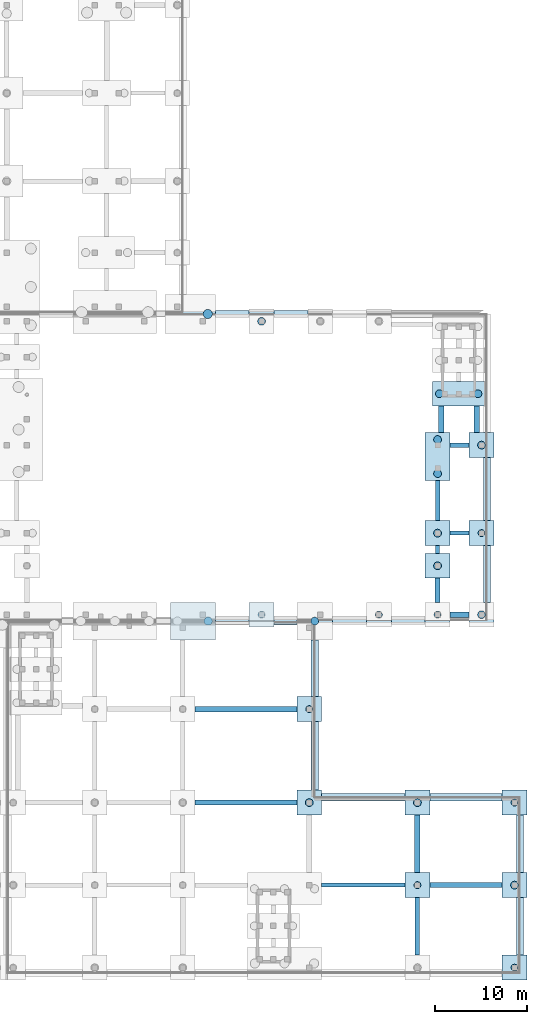
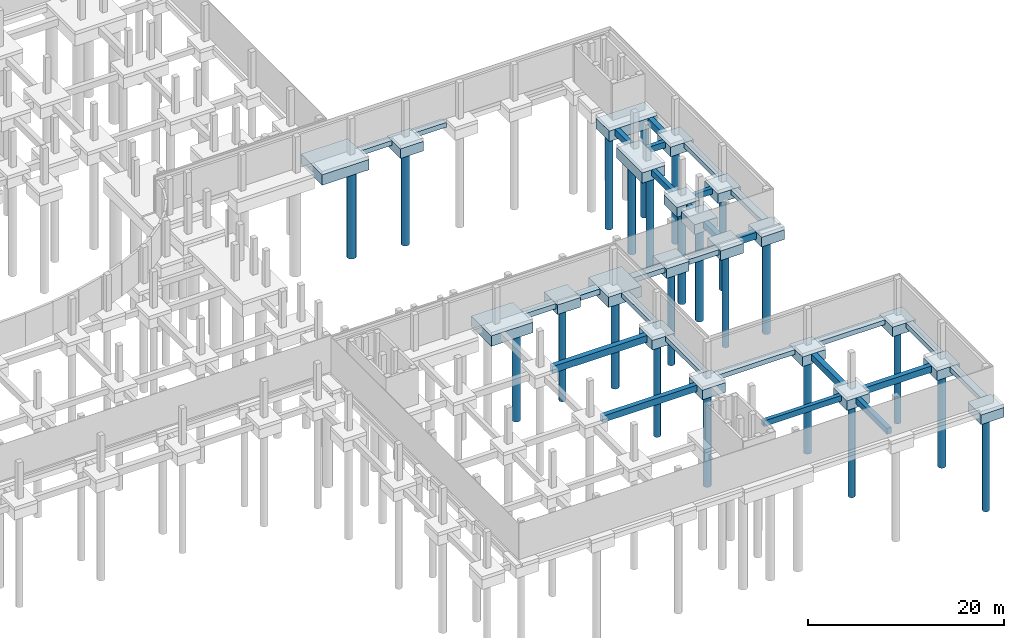
# One storey, part 10 of 40: 49 footings, 23 piles.
"""IFC4 building model written with IfcOpenShell, lengths in metres."""

from ifc_helpers import new_model, si_unit, direction, frame, origin, origin_2d, place, context, subcontext, project, spatial, polyline, circle, outline, extrude, material, material_profile, profile_set, type_object, element, save


model = new_model("IFC4")

# Units and contexts
model_context = context("Model", 3, precision=1e-05, world=origin(), true_north=direction((0.0, 1.0)))
body_context = subcontext(model_context, "Body", "Model", "MODEL_VIEW")
ifc_project = project(units=[si_unit("LENGTHUNIT", "METRE"), si_unit("AREAUNIT", "SQUARE_METRE"), si_unit("VOLUMEUNIT", "CUBIC_METRE"), si_unit("PLANEANGLEUNIT", "RADIAN"), si_unit("MASSUNIT", "GRAM", prefix="KILO")], contexts=[model_context])

# Site, building, storey
site_placement = place(None, origin())
site = spatial("IfcSite", under=ifc_project, at=site_placement, CompositionType="ELEMENT")
building_placement = place(site_placement, origin())
building = spatial("IfcBuilding", under=site, at=building_placement, Name="Mzevani Central Library", CompositionType="ELEMENT")
storey_placement = place(building_placement, frame((0.0, 0.0, -4.5)))
storey = spatial("IfcBuildingStorey", under=building, at=storey_placement, Name="B1", CompositionType="ELEMENT", Elevation=-4.5)

# Piles
ifc_material = material(Name="Concrete C40/50", Category="concrete")
ifc_material_profile_1 = material_profile(ifc_material, circle(Radius=0.5, at=origin_2d()), Name="PILE D1000")
ifc_profile_set_1 = profile_set([ifc_material_profile_1], Name="Concrete C40/50")
pile_type_1 = type_object("IfcPileType", Name="Bored Pile D1000", PredefinedType="BORED", material=ifc_profile_set_1)
pile_1_placement = place(storey_placement, frame((133.929931640625, 75.89990234375, -1.6201171875), z_axis=(0.0, 0.0, -1.0), x_axis=(1.0, 0.0, 0.0)))
element("IfcPile", 1, at=pile_1_placement, inside=storey, type_object=pile_type_1, Name="B1 Bored Pile P-04 (81)", PredefinedType="BORED", context=body_context, shape_type="SweptSolid", body=[
    extrude(circle(Radius=0.5, at=origin_2d()), origin(), (0.0, 0.0, 1.0), 11.8798828125),
])
ifc_material_profile_2 = material_profile(ifc_material, circle(Radius=0.375, at=origin_2d()), Name="PILE D750")
ifc_profile_set_2 = profile_set([ifc_material_profile_2], Name="Concrete C40/50")
pile_type_2 = type_object("IfcPileType", Name="Bored Pile D750", PredefinedType="BORED", material=ifc_profile_set_2)
for number, where, z_axis, x_axis, name in (
    (2, (159.0, 43.10009765625, -1.52001953125), (0.0, 0.0, -1.0), (1.0, 0.0, 0.0), "B1 Bored Pile P-01 (67)"),
    (3, (163.800048828125, 52.0, -1.52001953125), (0.0, 0.0, -1.0), (1.0, 0.0, 0.0), "B1 Bored Pile P-01 (72)"),
    (4, (139.800048828125, 43.10009765625, -1.52001953125), (0.0, 0.0, -1.0), (1.0, 0.0, 0.0), "B1 Bored Pile P-01 (82)"),
    (5, (152.60009765625, 43.10009765625, -1.52001953125), (0.0, 0.0, -1.0), (1.0, 0.0, 0.0), "B1 Bored Pile P-01 (86)"),
    (6, (145.0, 32.800048828125, -1.52001953125), (0.0, 0.0, -1.0), (1.0, 0.0, 0.0), "B1 Bored Pile P-01 (332)"),
    (7, (156.800048828125, 13.60009765625, -1.52001953125), (0.0, 0.0, -1.0), (1.0, 0.0, 0.0), "B1 Bored Pile P-01 (334)"),
    (8, (167.39990234375, 4.60009765625, -1.52001953125), (0.0, 0.0, -1.0), (1.0, 0.0, 0.0), "B1 Bored Pile P-01 (336)"),
    (9, (167.39990234375, 22.60009765625, -1.52001953125), (0.0, 0.0, -1.0), (1.0, 0.0, 0.0), "B1 Bored Pile P-01 (338)"),
):
    element("IfcPile", number, at=place(storey_placement, frame(where, z_axis=z_axis, x_axis=x_axis)), inside=storey, type_object=pile_type_2, Name=name, PredefinedType="BORED", context=body_context, shape_type="SweptSolid", body=[
        extrude(circle(Radius=0.375, at=origin_2d()), origin(), (0.0, 0.0, 1.0), 11.97998046875),
    ])
ifc_material_profile_3 = material_profile(ifc_material, circle(Radius=0.425048828125, at=origin_2d()), Name="PILE D850")
ifc_profile_set_3 = profile_set([ifc_material_profile_3], Name="Concrete C40/50")
pile_type_3 = type_object("IfcPileType", Name="Bored Pile D850", PredefinedType="BORED", material=ifc_profile_set_3)
pile_2_placement = place(storey_placement, frame((159.0, 52.0, -1.52001953125), z_axis=(0.0, 0.0, -1.0), x_axis=(1.0, 0.0, 0.0)))
element("IfcPile", 10, at=pile_2_placement, inside=storey, type_object=pile_type_3, Name="B1 Bored Pile P-02 (68)", PredefinedType="BORED", context=body_context, shape_type="SweptSolid", body=[
    extrude(circle(Radius=0.425048828125, at=origin_2d()), origin(), (0.0, 0.0, 1.0), 11.97998046875),
])
for number, where, z_axis, x_axis, name in (
    (11, (159.0, 58.4951171875, -1.6201171875), (0.0, 0.0, -1.0), (1.0, 0.0, 0.0), "B1 Bored Pile P-02 (69)"),
    (12, (159.0, 62.205078125, -1.6201171875), (0.0, 0.0, -1.0), (1.0, 0.0, 0.0), "B1 Bored Pile P-02 (70)"),
):
    element("IfcPile", number, at=place(storey_placement, frame(where, z_axis=z_axis, x_axis=x_axis)), inside=storey, type_object=pile_type_3, Name=name, PredefinedType="BORED", context=body_context, shape_type="SweptSolid", body=[
        extrude(circle(Radius=0.425048828125, at=origin_2d()), origin(), (0.0, 0.0, 1.0), 11.8798828125),
    ])
for number, where, z_axis, x_axis, name in (
    (13, (163.800048828125, 43.10009765625, -1.52001953125), (0.0, 0.0, -1.0), (1.0, 0.0, 0.0), "B1 Bored Pile P-02 (71)"),
    (14, (163.800048828125, 61.60009765625, -1.52001953125), (0.0, 0.0, -1.0), (1.0, 0.0, 0.0), "B1 Bored Pile P-02 (73)"),
    (15, (139.800048828125, 75.10009765625, -1.52001953125), (0.0, 0.0, -1.0), (1.0, 0.0, 0.0), "B1 Bored Pile P-02 (83)"),
):
    element("IfcPile", number, at=place(storey_placement, frame(where, z_axis=z_axis, x_axis=x_axis)), inside=storey, type_object=pile_type_3, Name=name, PredefinedType="BORED", context=body_context, shape_type="SweptSolid", body=[
        extrude(circle(Radius=0.425048828125, at=origin_2d()), origin(), (0.0, 0.0, 1.0), 11.97998046875),
    ])
pile_3_placement = place(storey_placement, frame((145.60009765625, 42.39990234375, -1.6201171875), z_axis=(0.0, 0.0, -1.0), x_axis=(1.0, 0.0, 0.0)))
element("IfcPile", 16, at=pile_3_placement, inside=storey, type_object=pile_type_3, Name="B1 Bored Pile P-02 (84)", PredefinedType="BORED", context=body_context, shape_type="SweptSolid", body=[
    extrude(circle(Radius=0.425048828125, at=origin_2d()), origin(), (0.0, 0.0, 1.0), 11.8798828125),
])
for number, where, z_axis, x_axis, name in (
    (17, (159.0, 48.43310546875, -1.52001953125), (0.0, 0.0, -1.0), (1.0, 0.0, 0.0), "B1 Bored Pile P-02 (89)"),
    (18, (145.0, 22.60009765625, -1.52001953125), (0.0, 0.0, -1.0), (1.0, 0.0, 0.0), "B1 Bored Pile P-02 (331)"),
    (19, (156.800048828125, 22.60009765625, -1.52001953125), (0.0, 0.0, -1.0), (1.0, 0.0, 0.0), "B1 Bored Pile P-02 (335)"),
    (20, (167.39990234375, 13.60009765625, -1.52001953125), (0.0, 0.0, -1.0), (1.0, 0.0, 0.0), "B1 Bored Pile P-02 (337)"),
):
    element("IfcPile", number, at=place(storey_placement, frame(where, z_axis=z_axis, x_axis=x_axis)), inside=storey, type_object=pile_type_3, Name=name, PredefinedType="BORED", context=body_context, shape_type="SweptSolid", body=[
        extrude(circle(Radius=0.425048828125, at=origin_2d()), origin(), (0.0, 0.0, 1.0), 11.97998046875),
    ])
for number, where, z_axis, x_axis, name in (
    (21, (159.195068359375, 67.199951171875, -1.6201171875), (0.0, 0.0, -1.0), (1.0, 0.0, 0.0), "B1 Bored Pile P-02 (352)"),
    (22, (163.405029296875, 67.199951171875, -1.6201171875), (0.0, 0.0, -1.0), (1.0, 0.0, 0.0), "B1 Bored Pile P-02 (353)"),
):
    element("IfcPile", number, at=place(storey_placement, frame(where, z_axis=z_axis, x_axis=x_axis)), inside=storey, type_object=pile_type_3, Name=name, PredefinedType="BORED", context=body_context, shape_type="SweptSolid", body=[
        extrude(circle(Radius=0.425048828125, at=origin_2d()), origin(), (0.0, 0.0, 1.0), 11.8798828125),
    ])
ifc_material_profile_4 = material_profile(ifc_material, circle(Radius=0.449951171875, at=origin_2d()), Name="PILE D900")
ifc_profile_set_4 = profile_set([ifc_material_profile_4], Name="Concrete C40/50")
pile_type_4 = type_object("IfcPileType", Name="Bored Pile D900", PredefinedType="BORED", material=ifc_profile_set_4)
pile_4_placement = place(storey_placement, frame((133.97998046875, 42.39990234375, -1.6201171875), z_axis=(0.0, 0.0, -1.0), x_axis=(1.0, 0.0, 0.0)))
element("IfcPile", 23, at=pile_4_placement, inside=storey, type_object=pile_type_4, Name="B1 Bored Pile P-03 (80)", PredefinedType="BORED", context=body_context, shape_type="SweptSolid", body=[
    extrude(circle(Radius=0.449951171875, at=origin_2d()), origin(), (0.0, 0.0, 1.0), 11.8798828125),
])

# Footings
footing_type_1 = type_object("IfcFootingType", Name="Ground Tie Beam RC 450x700", PredefinedType="FOOTING_BEAM", material=ifc_material)
footing_1_placement = place(storey_placement, frame((0.0, 0.0, -1.1201171875)))
element("IfcFooting", 24, at=footing_1_placement, inside=storey, type_object=footing_type_1, Name="MAT Ground Tie Beam GB-01 (109)", PredefinedType="FOOTING_BEAM", context=body_context, shape_type="SweptSolid", body=[
    extrude(outline(polyline([(146.35009765625, 13.375), (155.449951171875, 13.375), (155.449951171875, 13.824951171875), (146.35009765625, 13.824951171875), (146.35009765625, 13.375)])), origin(), (0.0, 0.0, 1.0), 0.7001953125),
])
footing_2_placement = place(storey_placement, frame((0.0, 0.0, -1.1201171875)))
element("IfcFooting", 25, at=footing_2_placement, inside=storey, type_object=footing_type_1, Name="MAT Ground Tie Beam GB-01 (113)", PredefinedType="FOOTING_BEAM", context=body_context, shape_type="SweptSolid", body=[
    extrude(outline(polyline([(160.35009765625, 51.77490234375), (162.449951171875, 51.77490234375), (162.449951171875, 52.22509765625), (160.35009765625, 52.22509765625), (160.35009765625, 51.77490234375)])), origin(), (0.0, 0.0, 1.0), 0.7001953125),
])
footing_3_placement = place(storey_placement, frame((0.0, 0.0, -1.1201171875)))
element("IfcFooting", 26, at=footing_3_placement, inside=storey, type_object=footing_type_1, Name="MAT Ground Tie Beam GB-01 (157)", PredefinedType="FOOTING_BEAM", context=body_context, shape_type="SweptSolid", body=[
    extrude(outline(polyline([(158.77490234375, 49.782958984375), (159.22509765625, 49.782958984375), (159.22509765625, 50.64990234375), (158.77490234375, 50.64990234375), (158.77490234375, 49.782958984375)])), origin(), (0.0, 0.0, 1.0), 0.7001953125),
])
footing_type_2 = type_object("IfcFootingType", Name="Ground Tie Beam RC 500x750", PredefinedType="FOOTING_BEAM", material=ifc_material)
footing_4_placement = place(storey_placement, frame((0.0, 0.0, -1.169921875)))
element("IfcFooting", 27, at=footing_4_placement, inside=storey, type_object=footing_type_2, Name="MAT Ground Tie Beam GB-02 (114)", PredefinedType="FOOTING_BEAM", context=body_context, shape_type="SweptSolid", body=[
    extrude(outline(polyline([(160.35009765625, 61.35009765625), (162.449951171875, 61.35009765625), (162.449951171875, 61.85009765625), (160.35009765625, 61.85009765625), (160.35009765625, 61.35009765625)])), origin(), (0.0, 0.0, 1.0), 0.75),
])
footing_5_placement = place(storey_placement, frame((0.0, 0.0, -1.169921875)))
element("IfcFooting", 28, at=footing_5_placement, inside=storey, type_object=footing_type_2, Name="MAT Ground Tie Beam GB-02 (122)", PredefinedType="FOOTING_BEAM", context=body_context, shape_type="SweptSolid", body=[
    extrude(outline(polyline([(156.550048828125, 5.949951171875), (157.050048828125, 5.949951171875), (157.050048828125, 12.25), (156.550048828125, 12.25), (156.550048828125, 5.949951171875)])), origin(), (0.0, 0.0, 1.0), 0.75),
])
footing_6_placement = place(storey_placement, frame((0.0, 0.0, -1.169921875)))
element("IfcFooting", 29, at=footing_6_placement, inside=storey, type_object=footing_type_2, Name="MAT Ground Tie Beam GB-02 (166)", PredefinedType="FOOTING_BEAM", context=body_context, shape_type="SweptSolid", body=[
    extrude(outline(polyline([(158.75, 53.35009765625), (159.25, 53.35009765625), (159.25, 57.75), (158.75, 57.75), (158.75, 53.35009765625)])), origin(), (0.0, 0.0, 1.0), 0.75),
])
footing_type_3 = type_object("IfcFootingType", Name="Ground Tie Beam RC 550x800", PredefinedType="FOOTING_BEAM", material=ifc_material)
footing_7_placement = place(storey_placement, frame((0.0, 0.0, -1.219970703125)))
element("IfcFooting", 30, at=footing_7_placement, inside=storey, type_object=footing_type_3, Name="MAT Ground Tie Beam GB-03 (107)", PredefinedType="FOOTING_BEAM", context=body_context, shape_type="SweptSolid", body=[
    extrude(outline(polyline([(132.550048828125, 22.324951171875), (143.64990234375, 22.324951171875), (143.64990234375, 22.875), (132.550048828125, 22.875), (132.550048828125, 22.324951171875)])), origin(), (0.0, 0.0, 1.0), 0.800048828125),
])
footing_8_placement = place(storey_placement, frame((0.0, 0.0, -1.219970703125)))
element("IfcFooting", 31, at=footing_8_placement, inside=storey, type_object=footing_type_3, Name="MAT Ground Tie Beam GB-03 (111)", PredefinedType="FOOTING_BEAM", context=body_context, shape_type="SweptSolid", body=[
    extrude(outline(polyline([(158.14990234375, 13.324951171875), (166.050048828125, 13.324951171875), (166.050048828125, 13.875), (158.14990234375, 13.875), (158.14990234375, 13.324951171875)])), origin(), (0.0, 0.0, 1.0), 0.800048828125),
])
footing_9_placement = place(storey_placement, frame((0.0, 0.0, -1.219970703125)))
element("IfcFooting", 32, at=footing_9_placement, inside=storey, type_object=footing_type_3, Name="MAT Ground Tie Beam GB-03 (155)", PredefinedType="FOOTING_BEAM", context=body_context, shape_type="SweptSolid", body=[
    extrude(outline(polyline([(158.72509765625, 44.449951171875), (159.27490234375, 44.449951171875), (159.27490234375, 47.0830078125), (158.72509765625, 47.0830078125), (158.72509765625, 44.449951171875)])), origin(), (0.0, 0.0, 1.0), 0.800048828125),
])
footing_10_placement = place(storey_placement, frame((0.0, 0.0, -1.219970703125)))
element("IfcFooting", 33, at=footing_10_placement, inside=storey, type_object=footing_type_3, Name="MAT Ground Tie Beam GB-03 (171)", PredefinedType="FOOTING_BEAM", context=body_context, shape_type="SweptSolid", body=[
    extrude(outline(polyline([(159.125, 62.949951171875), (159.675048828125, 62.949951171875), (159.675048828125, 65.85009765625), (159.125, 65.85009765625), (159.125, 62.949951171875)])), origin(), (0.0, 0.0, 1.0), 0.800048828125),
])
footing_type_4 = type_object("IfcFootingType", Name="Ground Tie Beam RC 600x850", PredefinedType="FOOTING_BEAM", material=ifc_material)
footing_11_placement = place(storey_placement, frame((0.0, 0.0, -1.27001953125)))
element("IfcFooting", 34, at=footing_11_placement, inside=storey, type_object=footing_type_4, Name="MAT Ground Tie Beam GB-04 (108)", PredefinedType="FOOTING_BEAM", context=body_context, shape_type="SweptSolid", body=[
    extrude(outline(polyline([(132.550048828125, 32.5), (143.64990234375, 32.5), (143.64990234375, 33.10009765625), (132.550048828125, 33.10009765625), (132.550048828125, 32.5)])), origin(), (0.0, 0.0, 1.0), 0.85009765625),
])
footing_12_placement = place(storey_placement, frame((0.0, 0.0, -1.27001953125)))
element("IfcFooting", 35, at=footing_12_placement, inside=storey, type_object=footing_type_4, Name="MAT Ground Tie Beam GB-04 (112)", PredefinedType="FOOTING_BEAM", context=body_context, shape_type="SweptSolid", body=[
    extrude(outline(polyline([(160.35009765625, 42.800048828125), (162.449951171875, 42.800048828125), (162.449951171875, 43.39990234375), (160.35009765625, 43.39990234375), (160.35009765625, 42.800048828125)])), origin(), (0.0, 0.0, 1.0), 0.85009765625),
])
footing_13_placement = place(storey_placement, frame((0.0, 0.0, -1.27001953125)))
element("IfcFooting", 36, at=footing_13_placement, inside=storey, type_object=footing_type_4, Name="MAT Ground Tie Beam GB-04 (128)", PredefinedType="FOOTING_BEAM", context=body_context, shape_type="SweptSolid", body=[
    extrude(outline(polyline([(156.5, 14.949951171875), (157.10009765625, 14.949951171875), (157.10009765625, 21.25), (156.5, 21.25), (156.5, 14.949951171875)])), origin(), (0.0, 0.0, 1.0), 0.85009765625),
])
footing_14_placement = place(storey_placement, frame((0.0, 0.0, -1.27001953125)))
element("IfcFooting", 37, at=footing_14_placement, inside=storey, type_object=footing_type_4, Name="MAT Ground Tie Beam GB-04 (176)", PredefinedType="FOOTING_BEAM", context=body_context, shape_type="SweptSolid", body=[
    extrude(outline(polyline([(163.0, 62.949951171875), (163.60009765625, 62.949951171875), (163.60009765625, 65.85009765625), (163.0, 65.85009765625), (163.0, 62.949951171875)])), origin(), (0.0, 0.0, 1.0), 0.85009765625),
])
footing_type_5 = type_object("IfcFootingType", Name="Perimeter Strip Footing RC 800x600", PredefinedType="STRIP_FOOTING", material=ifc_material)
footing_15_placement = place(storey_placement, frame((0.0, 0.0, -1.02001953125)))
element("IfcFooting", 38, at=footing_15_placement, inside=storey, type_object=footing_type_5, Name="B1 Perimeter Strip Footing SF-01 (1)", PredefinedType="STRIP_FOOTING", context=body_context, shape_type="SweptSolid", body=[
    extrude(outline(polyline([(164.0, 50.64990234375), (164.800048828125, 50.64990234375), (164.800048828125, 44.449951171875), (164.0, 44.449951171875), (164.0, 50.64990234375)])), origin(), (0.0, 0.0, 1.0), 0.60009765625),
])
footing_16_placement = place(storey_placement, frame((0.0, 0.0, -1.02001953125)))
element("IfcFooting", 39, at=footing_16_placement, inside=storey, type_object=footing_type_5, Name="B1 Perimeter Strip Footing SF-01 (2)", PredefinedType="STRIP_FOOTING", context=body_context, shape_type="SweptSolid", body=[
    extrude(outline(polyline([(164.0, 60.25), (164.800048828125, 60.25), (164.800048828125, 53.35009765625), (164.0, 53.35009765625), (164.0, 60.25)])), origin(), (0.0, 0.0, 1.0), 0.60009765625),
])
footing_17_placement = place(storey_placement, frame((0.0, 0.0, -1.02001953125)))
element("IfcFooting", 40, at=footing_17_placement, inside=storey, type_object=footing_type_5, Name="B1 Perimeter Strip Footing SF-01 (17)", PredefinedType="STRIP_FOOTING", context=body_context, shape_type="SweptSolid", body=[
    extrude(outline(polyline([(141.14990234375, 76.300048828125), (144.85009765625, 76.300048828125), (144.85009765625, 75.5), (141.14990234375, 75.5), (141.14990234375, 76.300048828125)])), origin(), (0.0, 0.0, 1.0), 0.60009765625),
])
footing_18_placement = place(storey_placement, frame((0.0, 0.0, -1.02001953125)))
element("IfcFooting", 41, at=footing_18_placement, inside=storey, type_object=footing_type_5, Name="B1 Perimeter Strip Footing SF-01 (18)", PredefinedType="STRIP_FOOTING", context=body_context, shape_type="SweptSolid", body=[
    extrude(outline(polyline([(134.75, 76.300048828125), (138.449951171875, 76.300048828125), (138.449951171875, 75.5), (134.75, 75.5), (134.75, 76.300048828125)])), origin(), (0.0, 0.0, 1.0), 0.60009765625),
])
footing_19_placement = place(storey_placement, frame((0.0, 0.0, -1.02001953125)))
element("IfcFooting", 42, at=footing_19_placement, inside=storey, type_object=footing_type_5, Name="B1 Perimeter Strip Footing SF-01 (59)", PredefinedType="STRIP_FOOTING", context=body_context, shape_type="SweptSolid", body=[
    extrude(outline(polyline([(168.39990234375, 12.25), (168.39990234375, 5.949951171875), (167.60009765625, 5.949951171875), (167.60009765625, 12.25), (168.39990234375, 12.25)])), origin(), (0.0, 0.0, 1.0), 0.60009765625),
])
footing_20_placement = place(storey_placement, frame((0.0, 0.0, -1.02001953125)))
element("IfcFooting", 43, at=footing_20_placement, inside=storey, type_object=footing_type_5, Name="B1 Perimeter Strip Footing SF-01 (60)", PredefinedType="STRIP_FOOTING", context=body_context, shape_type="SweptSolid", body=[
    extrude(outline(polyline([(168.39990234375, 21.25), (168.39990234375, 14.949951171875), (167.60009765625, 14.949951171875), (167.60009765625, 21.25), (168.39990234375, 21.25)])), origin(), (0.0, 0.0, 1.0), 0.60009765625),
])
footing_21_placement = place(storey_placement, frame((0.0, 0.0, -1.02001953125)))
element("IfcFooting", 44, at=footing_21_placement, inside=storey, type_object=footing_type_5, Name="B1 Perimeter Strip Footing SF-01 (69)", PredefinedType="STRIP_FOOTING", context=body_context, shape_type="SweptSolid", body=[
    extrude(outline(polyline([(146.0, 31.449951171875), (146.0, 23.949951171875), (145.199951171875, 23.949951171875), (145.199951171875, 31.449951171875), (146.0, 31.449951171875)])), origin(), (0.0, 0.0, 1.0), 0.60009765625),
])
footing_22_placement = place(storey_placement, frame((0.0, 0.0, -1.02001953125)))
element("IfcFooting", 45, at=footing_22_placement, inside=storey, type_object=footing_type_5, Name="B1 Perimeter Strip Footing SF-01 (70)", PredefinedType="STRIP_FOOTING", context=body_context, shape_type="SweptSolid", body=[
    extrude(outline(polyline([(146.0, 40.35009765625), (146.0, 34.14990234375), (145.199951171875, 34.14990234375), (145.199951171875, 40.35009765625), (146.0, 40.35009765625)])), origin(), (0.0, 0.0, 1.0), 0.60009765625),
])
footing_23_placement = place(storey_placement, frame((0.0, 0.0, -1.02001953125)))
element("IfcFooting", 46, at=footing_23_placement, inside=storey, type_object=footing_type_5, Name="B1 Perimeter Strip Footing SF-01 (71)", PredefinedType="STRIP_FOOTING", context=body_context, shape_type="SweptSolid", body=[
    extrude(outline(polyline([(158.14990234375, 23.60009765625), (166.050048828125, 23.60009765625), (166.050048828125, 22.800048828125), (158.14990234375, 22.800048828125), (158.14990234375, 23.60009765625)])), origin(), (0.0, 0.0, 1.0), 0.60009765625),
])
footing_24_placement = place(storey_placement, frame((0.0, 0.0, -1.02001953125)))
element("IfcFooting", 47, at=footing_24_placement, inside=storey, type_object=footing_type_5, Name="B1 Perimeter Strip Footing SF-01 (72)", PredefinedType="STRIP_FOOTING", context=body_context, shape_type="SweptSolid", body=[
    extrude(outline(polyline([(146.35009765625, 23.60009765625), (155.449951171875, 23.60009765625), (155.449951171875, 22.800048828125), (146.35009765625, 22.800048828125), (146.35009765625, 23.60009765625)])), origin(), (0.0, 0.0, 1.0), 0.60009765625),
])
footing_type_6 = type_object("IfcFootingType", Name="Perimeter Strip Footing RC 900x650", PredefinedType="STRIP_FOOTING", material=ifc_material)
footing_25_placement = place(storey_placement, frame((0.0, 0.0, -1.070068359375)))
element("IfcFooting", 48, at=footing_25_placement, inside=storey, type_object=footing_type_6, Name="B1 Perimeter Strip Footing SF-02 (10)", PredefinedType="STRIP_FOOTING", context=body_context, shape_type="SweptSolid", body=[
    extrude(outline(polyline([(138.449951171875, 42.050048828125), (134.75, 42.050048828125), (134.75, 42.949951171875), (138.449951171875, 42.949951171875), (138.449951171875, 42.050048828125)])), origin(), (0.0, 0.0, 1.0), 0.650146484375),
])
footing_26_placement = place(storey_placement, frame((0.0, 0.0, -1.070068359375)))
element("IfcFooting", 49, at=footing_26_placement, inside=storey, type_object=footing_type_6, Name="B1 Perimeter Strip Footing SF-02 (11)", PredefinedType="STRIP_FOOTING", context=body_context, shape_type="SweptSolid", body=[
    extrude(outline(polyline([(143.64990234375, 42.050048828125), (141.14990234375, 42.050048828125), (141.14990234375, 42.949951171875), (143.64990234375, 42.949951171875), (143.64990234375, 42.050048828125)])), origin(), (0.0, 0.0, 1.0), 0.650146484375),
])
footing_27_placement = place(storey_placement, frame((0.0, 0.0, -1.070068359375)))
element("IfcFooting", 50, at=footing_27_placement, inside=storey, type_object=footing_type_6, Name="B1 Perimeter Strip Footing SF-02 (12)", PredefinedType="STRIP_FOOTING", context=body_context, shape_type="SweptSolid", body=[
    extrude(outline(polyline([(151.25, 42.050048828125), (147.550048828125, 42.050048828125), (147.550048828125, 42.949951171875), (151.25, 42.949951171875), (151.25, 42.050048828125)])), origin(), (0.0, 0.0, 1.0), 0.650146484375),
])
footing_28_placement = place(storey_placement, frame((0.0, 0.0, -1.070068359375)))
element("IfcFooting", 51, at=footing_28_placement, inside=storey, type_object=footing_type_6, Name="B1 Perimeter Strip Footing SF-02 (13)", PredefinedType="STRIP_FOOTING", context=body_context, shape_type="SweptSolid", body=[
    extrude(outline(polyline([(157.64990234375, 42.050048828125), (153.949951171875, 42.050048828125), (153.949951171875, 42.949951171875), (157.64990234375, 42.949951171875), (157.64990234375, 42.050048828125)])), origin(), (0.0, 0.0, 1.0), 0.650146484375),
])
footing_type_7 = type_object("IfcFootingType", Name="Pile Cap RC 2700x2700x1200", PredefinedType="PILE_CAP", material=ifc_material)
footing_29_placement = place(storey_placement, frame((0.0, 0.0, -1.6201171875)))
element("IfcFooting", 52, at=footing_29_placement, inside=storey, type_object=footing_type_7, Name="B1 Pile Cap PC-02 (24)", PredefinedType="PILE_CAP", context=body_context, shape_type="SweptSolid", body=[
    extrude(outline(polyline([(157.64990234375, 41.75), (160.35009765625, 41.75), (160.35009765625, 44.449951171875), (157.64990234375, 44.449951171875), (157.64990234375, 41.75)])), origin(), (0.0, 0.0, 1.0), 1.2001953125),
])
footing_30_placement = place(storey_placement, frame((0.0, 0.0, -1.6201171875)))
element("IfcFooting", 53, at=footing_30_placement, inside=storey, type_object=footing_type_7, Name="B1 Pile Cap PC-02 (25)", PredefinedType="PILE_CAP", context=body_context, shape_type="SweptSolid", body=[
    extrude(outline(polyline([(157.64990234375, 50.64990234375), (160.35009765625, 50.64990234375), (160.35009765625, 53.35009765625), (157.64990234375, 53.35009765625), (157.64990234375, 50.64990234375)])), origin(), (0.0, 0.0, 1.0), 1.2001953125),
])
footing_31_placement = place(storey_placement, frame((0.0, 0.0, -1.6201171875)))
element("IfcFooting", 54, at=footing_31_placement, inside=storey, type_object=footing_type_7, Name="B1 Pile Cap PC-02 (27)", PredefinedType="PILE_CAP", context=body_context, shape_type="SweptSolid", body=[
    extrude(outline(polyline([(162.449951171875, 41.75), (165.14990234375, 41.75), (165.14990234375, 44.449951171875), (162.449951171875, 44.449951171875), (162.449951171875, 41.75)])), origin(), (0.0, 0.0, 1.0), 1.2001953125),
])
footing_32_placement = place(storey_placement, frame((0.0, 0.0, -1.6201171875)))
element("IfcFooting", 55, at=footing_32_placement, inside=storey, type_object=footing_type_7, Name="B1 Pile Cap PC-02 (28)", PredefinedType="PILE_CAP", context=body_context, shape_type="SweptSolid", body=[
    extrude(outline(polyline([(162.449951171875, 50.64990234375), (165.14990234375, 50.64990234375), (165.14990234375, 53.35009765625), (162.449951171875, 53.35009765625), (162.449951171875, 50.64990234375)])), origin(), (0.0, 0.0, 1.0), 1.2001953125),
])
footing_33_placement = place(storey_placement, frame((0.0, 0.0, -1.6201171875)))
element("IfcFooting", 56, at=footing_33_placement, inside=storey, type_object=footing_type_7, Name="B1 Pile Cap PC-02 (29)", PredefinedType="PILE_CAP", context=body_context, shape_type="SweptSolid", body=[
    extrude(outline(polyline([(162.449951171875, 60.25), (165.14990234375, 60.25), (165.14990234375, 62.949951171875), (162.449951171875, 62.949951171875), (162.449951171875, 60.25)])), origin(), (0.0, 0.0, 1.0), 1.2001953125),
])
footing_34_placement = place(storey_placement, frame((0.0, 0.0, -1.6201171875)))
element("IfcFooting", 57, at=footing_34_placement, inside=storey, type_object=footing_type_7, Name="B1 Pile Cap PC-02 (34)", PredefinedType="PILE_CAP", context=body_context, shape_type="SweptSolid", body=[
    extrude(outline(polyline([(138.449951171875, 41.75), (141.14990234375, 41.75), (141.14990234375, 44.449951171875), (138.449951171875, 44.449951171875), (138.449951171875, 41.75)])), origin(), (0.0, 0.0, 1.0), 1.2001953125),
])
footing_35_placement = place(storey_placement, frame((0.0, 0.0, -1.6201171875)))
element("IfcFooting", 58, at=footing_35_placement, inside=storey, type_object=footing_type_7, Name="B1 Pile Cap PC-02 (35)", PredefinedType="PILE_CAP", context=body_context, shape_type="SweptSolid", body=[
    extrude(outline(polyline([(138.449951171875, 73.75), (141.14990234375, 73.75), (141.14990234375, 76.449951171875), (138.449951171875, 76.449951171875), (138.449951171875, 73.75)])), origin(), (0.0, 0.0, 1.0), 1.2001953125),
])
footing_36_placement = place(storey_placement, frame((0.0, 0.0, -1.6201171875)))
element("IfcFooting", 59, at=footing_36_placement, inside=storey, type_object=footing_type_7, Name="B1 Pile Cap PC-02 (38)", PredefinedType="PILE_CAP", context=body_context, shape_type="SweptSolid", body=[
    extrude(outline(polyline([(151.25, 41.75), (153.949951171875, 41.75), (153.949951171875, 44.449951171875), (151.25, 44.449951171875), (151.25, 41.75)])), origin(), (0.0, 0.0, 1.0), 1.2001953125),
])
footing_37_placement = place(storey_placement, frame((0.0, 0.0, -1.6201171875)))
element("IfcFooting", 60, at=footing_37_placement, inside=storey, type_object=footing_type_7, Name="B1 Pile Cap PC-02 (41)", PredefinedType="PILE_CAP", context=body_context, shape_type="SweptSolid", body=[
    extrude(outline(polyline([(157.64990234375, 47.0830078125), (160.35009765625, 47.0830078125), (160.35009765625, 49.782958984375), (157.64990234375, 49.782958984375), (157.64990234375, 47.0830078125)])), origin(), (0.0, 0.0, 1.0), 1.2001953125),
])
footing_38_placement = place(storey_placement, frame((0.0, 0.0, -1.6201171875)))
element("IfcFooting", 61, at=footing_38_placement, inside=storey, type_object=footing_type_7, Name="B1 Pile Cap PC-02 (143)", PredefinedType="PILE_CAP", context=body_context, shape_type="SweptSolid", body=[
    extrude(outline(polyline([(143.64990234375, 21.25), (146.35009765625, 21.25), (146.35009765625, 23.949951171875), (143.64990234375, 23.949951171875), (143.64990234375, 21.25)])), origin(), (0.0, 0.0, 1.0), 1.2001953125),
])
footing_39_placement = place(storey_placement, frame((0.0, 0.0, -1.6201171875)))
element("IfcFooting", 62, at=footing_39_placement, inside=storey, type_object=footing_type_7, Name="B1 Pile Cap PC-02 (144)", PredefinedType="PILE_CAP", context=body_context, shape_type="SweptSolid", body=[
    extrude(outline(polyline([(143.64990234375, 31.449951171875), (146.35009765625, 31.449951171875), (146.35009765625, 34.14990234375), (143.64990234375, 34.14990234375), (143.64990234375, 31.449951171875)])), origin(), (0.0, 0.0, 1.0), 1.2001953125),
])
footing_40_placement = place(storey_placement, frame((0.0, 0.0, -1.6201171875)))
element("IfcFooting", 63, at=footing_40_placement, inside=storey, type_object=footing_type_7, Name="B1 Pile Cap PC-02 (146)", PredefinedType="PILE_CAP", context=body_context, shape_type="SweptSolid", body=[
    extrude(outline(polyline([(155.449951171875, 12.25), (158.14990234375, 12.25), (158.14990234375, 14.949951171875), (155.449951171875, 14.949951171875), (155.449951171875, 12.25)])), origin(), (0.0, 0.0, 1.0), 1.2001953125),
])
footing_41_placement = place(storey_placement, frame((0.0, 0.0, -1.6201171875)))
element("IfcFooting", 64, at=footing_41_placement, inside=storey, type_object=footing_type_7, Name="B1 Pile Cap PC-02 (147)", PredefinedType="PILE_CAP", context=body_context, shape_type="SweptSolid", body=[
    extrude(outline(polyline([(155.449951171875, 21.25), (158.14990234375, 21.25), (158.14990234375, 23.949951171875), (155.449951171875, 23.949951171875), (155.449951171875, 21.25)])), origin(), (0.0, 0.0, 1.0), 1.2001953125),
])
footing_42_placement = place(storey_placement, frame((0.0, 0.0, -1.6201171875)))
element("IfcFooting", 65, at=footing_42_placement, inside=storey, type_object=footing_type_7, Name="B1 Pile Cap PC-02 (148)", PredefinedType="PILE_CAP", context=body_context, shape_type="SweptSolid", body=[
    extrude(outline(polyline([(166.050048828125, 3.25), (168.75, 3.25), (168.75, 5.949951171875), (166.050048828125, 5.949951171875), (166.050048828125, 3.25)])), origin(), (0.0, 0.0, 1.0), 1.2001953125),
])
footing_43_placement = place(storey_placement, frame((0.0, 0.0, -1.6201171875)))
element("IfcFooting", 66, at=footing_43_placement, inside=storey, type_object=footing_type_7, Name="B1 Pile Cap PC-02 (149)", PredefinedType="PILE_CAP", context=body_context, shape_type="SweptSolid", body=[
    extrude(outline(polyline([(166.050048828125, 12.25), (168.75, 12.25), (168.75, 14.949951171875), (166.050048828125, 14.949951171875), (166.050048828125, 12.25)])), origin(), (0.0, 0.0, 1.0), 1.2001953125),
])
footing_44_placement = place(storey_placement, frame((0.0, 0.0, -1.6201171875)))
element("IfcFooting", 67, at=footing_44_placement, inside=storey, type_object=footing_type_7, Name="B1 Pile Cap PC-02 (150)", PredefinedType="PILE_CAP", context=body_context, shape_type="SweptSolid", body=[
    extrude(outline(polyline([(166.050048828125, 21.25), (168.75, 21.25), (168.75, 23.949951171875), (166.050048828125, 23.949951171875), (166.050048828125, 21.25)])), origin(), (0.0, 0.0, 1.0), 1.2001953125),
])
footing_type_8 = type_object("IfcFootingType", Name="Pile Cap RC 4100x3900x1300", PredefinedType="PILE_CAP", material=ifc_material)
footing_45_placement = place(storey_placement, frame((0.0, 0.0, -1.719970703125)))
element("IfcFooting", 68, at=footing_45_placement, inside=storey, type_object=footing_type_8, Name="B1 Pile Cap PC-14 (36)", PredefinedType="PILE_CAP", context=body_context, shape_type="SweptSolid", body=[
    extrude(outline(polyline([(143.64990234375, 40.35009765625), (147.550048828125, 40.35009765625), (147.550048828125, 44.449951171875), (143.64990234375, 44.449951171875), (143.64990234375, 40.35009765625)])), origin(), (0.0, 0.0, 1.0), 1.300048828125),
])
footing_type_9 = type_object("IfcFootingType", Name="Pile Cap RC 4900x4100x1300", PredefinedType="PILE_CAP", material=ifc_material)
footing_46_placement = place(storey_placement, frame((0.0, 0.0, -1.719970703125)))
element("IfcFooting", 69, at=footing_46_placement, inside=storey, type_object=footing_type_9, Name="B1 Pile Cap PC-12 (32)", PredefinedType="PILE_CAP", context=body_context, shape_type="SweptSolid", body=[
    extrude(outline(polyline([(129.85009765625, 40.35009765625), (134.75, 40.35009765625), (134.75, 44.449951171875), (129.85009765625, 44.449951171875), (129.85009765625, 40.35009765625)])), origin(), (0.0, 0.0, 1.0), 1.300048828125),
])
footing_type_10 = type_object("IfcFootingType", Name="Pile Cap RC 5200x2700x1300", PredefinedType="PILE_CAP", material=ifc_material)
footing_47_placement = place(storey_placement, frame((0.0, 0.0, -1.719970703125)))
element("IfcFooting", 70, at=footing_47_placement, inside=storey, type_object=footing_type_10, Name="B1 Pile Cap PC-09 (26)", PredefinedType="PILE_CAP", context=body_context, shape_type="SweptSolid", body=[
    extrude(outline(polyline([(157.64990234375, 57.75), (160.35009765625, 57.75), (160.35009765625, 62.949951171875), (157.64990234375, 62.949951171875), (157.64990234375, 57.75)])), origin(), (0.0, 0.0, 1.0), 1.300048828125),
])
footing_type_11 = type_object("IfcFootingType", Name="Pile Cap RC 5500x4300x1300", PredefinedType="PILE_CAP", material=ifc_material)
footing_48_placement = place(storey_placement, frame((0.0, 0.0, -1.719970703125)))
element("IfcFooting", 71, at=footing_48_placement, inside=storey, type_object=footing_type_11, Name="B1 Pile Cap PC-13 (33)", PredefinedType="PILE_CAP", context=body_context, shape_type="SweptSolid", body=[
    extrude(outline(polyline([(129.25, 73.75), (134.75, 73.75), (134.75, 78.050048828125), (129.25, 78.050048828125), (129.25, 73.75)])), origin(), (0.0, 0.0, 1.0), 1.300048828125),
])
footing_type_12 = type_object("IfcFootingType", Name="Pile Cap RC 5700x2700x1300", PredefinedType="PILE_CAP", material=ifc_material)
footing_49_placement = place(storey_placement, frame((0.0, 0.0, -1.719970703125)))
element("IfcFooting", 72, at=footing_49_placement, inside=storey, type_object=footing_type_12, Name="B1 Pile Cap PC-40 (164)", PredefinedType="PILE_CAP", context=body_context, shape_type="SweptSolid", body=[
    extrude(outline(polyline([(158.449951171875, 65.85009765625), (164.14990234375, 65.85009765625), (164.14990234375, 68.550048828125), (158.449951171875, 68.550048828125), (158.449951171875, 65.85009765625)])), origin(), (0.0, 0.0, 1.0), 1.300048828125),
])

save(model, "model.ifc")
